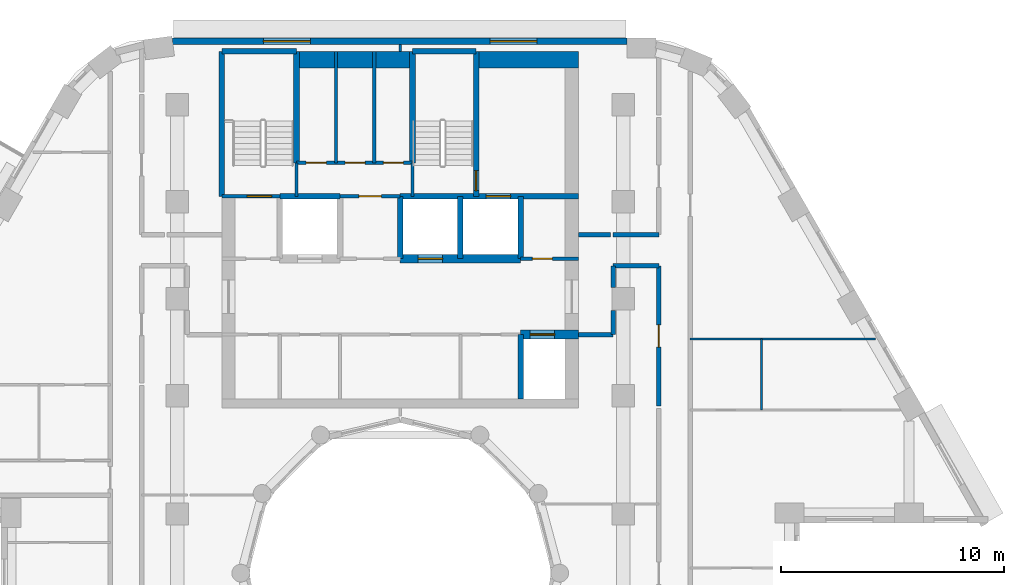
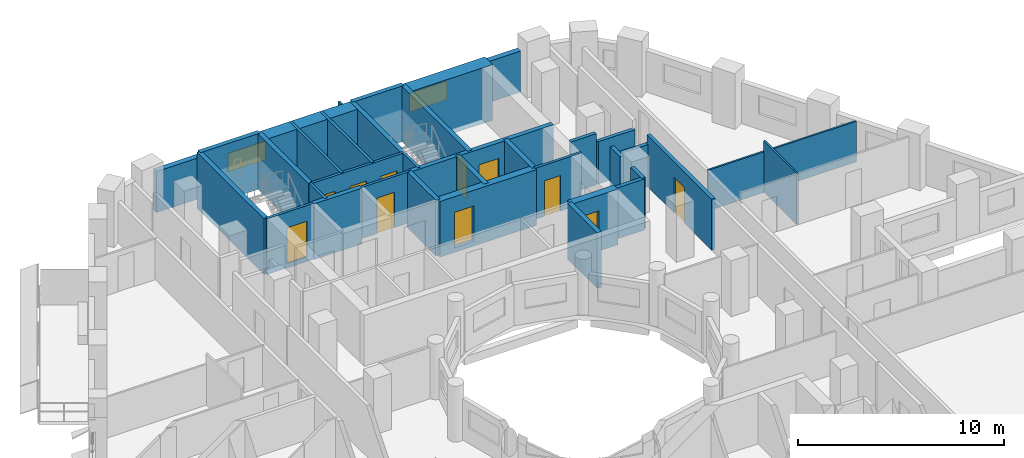
# One storey, part 8 of 13: 35 walls, 11 doors, 2 windows, 13 openings.
"""IFC4 building model written with IfcOpenShell, lengths in metres."""

import ifcopenshell
import ifcopenshell.guid

model = None  # the IFC model being written
_history = None  # IfcOwnerHistory: only IFC2X3 demands one
_inside = {}  # id of a spatial element -> (the spatial element, [elements in it])
_under = {}  # id of a project, library or spatial element -> (it, [spatial elements below it])
_declared = {}  # id of a project -> (the project, [libraries it declares])
_typed = {}  # id of a type object -> (the type object, [elements of that type])
_made_of = {}  # id of a material, layer set ... -> (it, [elements and type objects made of it])


def new_model(schema):
    """Start an empty IFC model of exactly this schema.

    Asked for "IFC4X3", IfcOpenShell would pick the latest addendum, in which some entities
    have other attributes; the version numbers below select the first issue.
    IFC2X3 requires an IfcOwnerHistory on every rooted entity: one is made here for all.
    """
    global model, _history
    if schema == "IFC4X3":
        model = ifcopenshell.file(schema_version=(4, 3, 0, 0))
    else:
        model = ifcopenshell.file(schema=schema)
    _inside.clear()
    _under.clear()
    _declared.clear()
    _typed.clear()
    _made_of.clear()
    _history = None
    if model.schema == "IFC2X3":
        org = make("IfcOrganization", Name="unknown")
        user = make(
            "IfcPersonAndOrganization",
            ThePerson=make("IfcPerson", FamilyName="unknown"),
            TheOrganization=org,
        )
        app = make(
            "IfcApplication",
            ApplicationDeveloper=org,
            Version="unknown",
            ApplicationFullName="unknown",
            ApplicationIdentifier="unknown",
        )
        _history = make(
            "IfcOwnerHistory",
            OwningUser=user,
            OwningApplication=app,
            ChangeAction="ADDED",
            CreationDate=0,
        )
    return model


def make(cls, **values):
    """One entity of the class cls with the attributes given. An attribute that is None is left unset."""
    return model.create_entity(
        cls, **{name: value for name, value in values.items() if value is not None}
    )


def rooted(cls, **values):
    """An entity with a GlobalId (a new one), such as an element, a storey or a relation."""
    return make(cls, GlobalId=ifcopenshell.guid.new(), OwnerHistory=_history, **values)


def si_unit(unit_type, name, prefix=None):
    """IfcSIUnit, for example si_unit("LENGTHUNIT", "METRE", prefix="MILLI")."""
    return make("IfcSIUnit", UnitType=unit_type, Prefix=prefix, Name=name)


def assignment(units):
    """IfcUnitAssignment: the units of a project."""
    return None if units is None else make("IfcUnitAssignment", Units=units)


def point(xyz):
    """IfcCartesianPoint."""
    return None if xyz is None else make("IfcCartesianPoint", Coordinates=xyz)


def direction(xyz):
    """IfcDirection."""
    return None if xyz is None else make("IfcDirection", DirectionRatios=xyz)


def frame(location, z_axis=None, x_axis=None):
    """IfcAxis2Placement3D, a coordinate frame: its origin and axes. An axis left out is left unset."""
    return make(
        "IfcAxis2Placement3D",
        Location=point(location),
        Axis=direction(z_axis),
        RefDirection=direction(x_axis),
    )


def frame_2d(location, x_axis=None):
    """IfcAxis2Placement2D, a coordinate frame in the plane: its origin and x axis."""
    return make(
        "IfcAxis2Placement2D", Location=point(location), RefDirection=direction(x_axis)
    )


def origin():
    """The frame at (0, 0, 0) with its axes left unset."""
    return frame((0.0, 0.0, 0.0))


def place(relative_to, where):
    """IfcLocalPlacement: puts the frame where relative to a parent placement (None: the world)."""
    return make(
        "IfcLocalPlacement", PlacementRelTo=relative_to, RelativePlacement=where
    )


def context(
    kind, dimensions, precision=None, world=None, true_north=None, identifier=None
):
    """IfcGeometricRepresentationContext, for example the 3D "Model" context."""
    return make(
        "IfcGeometricRepresentationContext",
        ContextIdentifier=identifier,
        ContextType=kind,
        CoordinateSpaceDimension=dimensions,
        Precision=precision,
        WorldCoordinateSystem=world,
        TrueNorth=true_north,
    )


def subcontext(parent, identifier, kind, view, scale=None):
    """IfcGeometricRepresentationSubContext, for example "Body" below "Model"."""
    return make(
        "IfcGeometricRepresentationSubContext",
        ContextIdentifier=identifier,
        ContextType=kind,
        ParentContext=parent,
        TargetScale=scale,
        TargetView=view,
    )


def project(units=None, contexts=None):
    """IfcProject with its units and contexts."""
    return rooted(
        "IfcProject",
        Name="project",
        RepresentationContexts=contexts,
        UnitsInContext=assignment(units),
    )


def spatial(cls, under=None, at=None, **own):
    """A site, building, storey or space (cls), placed at a placement, below another one or the project."""
    s = rooted(cls, ObjectPlacement=at, **own)
    if under is not None:
        _under.setdefault(under.id(), (under, []))[1].append(s)
    return s


def profile(cls, at=None, kind="AREA", **sizes):
    """A parametric profile (cls). Its sizes go by their IFC names, for example OverallWidth=200.0."""
    return make(cls, ProfileType=kind, Position=at, **sizes)


def rectangle(**sizes):
    """IfcRectangleProfileDef."""
    return profile("IfcRectangleProfileDef", **sizes)


def extrude(swept, where, along, depth):
    """IfcExtrudedAreaSolid: the profile swept, set in the frame where, extruded along a direction by depth."""
    return make(
        "IfcExtrudedAreaSolid",
        SweptArea=swept,
        Position=where,
        ExtrudedDirection=direction(along),
        Depth=depth,
    )


def shape(context_of_items, identifier, shape_type, items):
    """IfcShapeRepresentation: the items that make up one representation, for example the "Body"."""
    return make(
        "IfcShapeRepresentation",
        ContextOfItems=context_of_items,
        RepresentationIdentifier=identifier,
        RepresentationType=shape_type,
        Items=items,
    )


def material(Name=None, Category=None):
    """IfcMaterial."""
    return make("IfcMaterial", Name=Name, Category=Category)


def layer(
    of_material, thickness, ventilated=None, Name=None, Category=None, Priority=None
):
    """IfcMaterialLayer: one layer of a wall or slab, of a material (None: an air gap)."""
    return make(
        "IfcMaterialLayer",
        Material=of_material,
        LayerThickness=thickness,
        IsVentilated=ventilated,
        Name=Name,
        Category=Category,
        Priority=Priority,
    )


def layer_set(layers, Name=None):
    """IfcMaterialLayerSet."""
    return make("IfcMaterialLayerSet", MaterialLayers=layers, LayerSetName=Name)


def made_of(thing, what):
    """Note that an element or type object is made of a material, layer set ...; save() writes the relation."""
    if what is not None:
        _made_of.setdefault(what.id(), (what, []))[1].append(thing)
    return thing


def type_object(cls, material=None, **own):
    """A type object (cls), such as IfcWallType, which elements share."""
    return made_of(rooted(cls, **own), material)


def element(
    cls,
    number,
    at=None,
    inside=None,
    cuts=None,
    type_object=None,
    material=None,
    context=None,
    identifier="Body",
    shape_type=None,
    held_by="IfcProductDefinitionShape",
    body=None,
    shapes=None,
    **own,
):
    """One element of the class cls, such as IfcWall. Its Tag is "e" and its number.

    at: its placement. inside: the storey or other place that contains it. cuts: it is an
    opening in that element (IfcRelVoidsElement). A single representation is given by context,
    identifier, shape_type and body (its items); several are given by shapes. held_by: the class
    of the entity that holds the representations. save() writes the other relations.
    """
    e = rooted(cls, Tag="e%d" % number, ObjectPlacement=at, **own)
    if body is not None:
        shapes = [shape(context, identifier, shape_type, body)]
    if shapes is not None:
        e.Representation = make(held_by, Representations=shapes)
    if inside is not None:
        _inside.setdefault(inside.id(), (inside, []))[1].append(e)
    if cuts is not None:
        rooted(
            "IfcRelVoidsElement", RelatingBuildingElement=cuts, RelatedOpeningElement=e
        )
    if type_object is not None:
        _typed.setdefault(type_object.id(), (type_object, []))[1].append(e)
    return made_of(e, material)


def fill(opening, filler):
    """IfcRelFillsElement: the door or window that sits in an opening."""
    return rooted(
        "IfcRelFillsElement",
        RelatingOpeningElement=opening,
        RelatedBuildingElement=filler,
    )


def aggregate(whole, parts):
    """IfcRelAggregates: a whole, such as a stair, and the parts it consists of."""
    return rooted("IfcRelAggregates", RelatingObject=whole, RelatedObjects=parts)


def save(model, path):
    """Write the relations noted so far, then the file.

    IfcRelAggregates (storeys below a building ...), IfcRelContainedInSpatialStructure (elements
    in a storey), IfcRelDefinesByType, IfcRelAssociatesMaterial and IfcRelDeclares: one each for
    every whole, place, type object, material and project.
    """
    for whole, parts in _under.values():
        aggregate(whole, parts)
    for where, things in _inside.values():
        rooted(
            "IfcRelContainedInSpatialStructure",
            RelatedElements=things,
            RelatingStructure=where,
        )
    for kind, things in _typed.values():
        rooted("IfcRelDefinesByType", RelatedObjects=things, RelatingType=kind)
    for what, things in _made_of.values():
        rooted("IfcRelAssociatesMaterial", RelatedObjects=things, RelatingMaterial=what)
    for by, libraries in _declared.values():
        rooted("IfcRelDeclares", RelatingContext=by, RelatedDefinitions=libraries)
    model.write(path)


model = new_model("IFC4")

# Units and contexts
model_context = context("Model", 3, precision=1e-05, world=origin(), true_north=direction((0.0, 1.0)))
body_context = subcontext(model_context, "Body", "Model", "MODEL_VIEW")
ifc_project = project(units=[si_unit("LENGTHUNIT", "METRE"), si_unit("AREAUNIT", "SQUARE_METRE"), si_unit("VOLUMEUNIT", "CUBIC_METRE"), si_unit("PLANEANGLEUNIT", "RADIAN"), si_unit("MASSUNIT", "GRAM", prefix="KILO")], contexts=[model_context])

# Site, building, storey
site_placement = place(None, origin())
site = spatial("IfcSite", under=ifc_project, at=site_placement, CompositionType="ELEMENT")
building_placement = place(site_placement, origin())
building = spatial("IfcBuilding", under=site, at=building_placement, Name="Nakaniwa Court", CompositionType="ELEMENT")
storey_placement = place(building_placement, frame((0.0, 0.0, 140.39990234375)))
storey = spatial("IfcBuildingStorey", under=building, at=storey_placement, Name="L36", CompositionType="ELEMENT", Elevation=140.39990234375)

# Wall, opening, door
ifc_material_1 = material(Name="Acoustic double stud partition")
ifc_layer_1 = layer(ifc_material_1, 0.199951171875)
ifc_layer_set_1 = layer_set([ifc_layer_1], Name="Acoustic double stud partition")
wall_type_1 = type_object("IfcWallType", Name="Acoustic double stud partition 200", PredefinedType="PARTITIONING", material=ifc_layer_set_1)
wall_1_placement = place(storey_placement, frame((91.60009765625, 87.4873046875, 0.0), z_axis=(0.0, 0.0, 1.0), x_axis=(0.0, 1.0, 0.0)))
wall_1 = element("IfcWall", 1, at=wall_1_placement, inside=storey, type_object=wall_type_1, Name="Partition PW-076", PredefinedType="PARTITIONING", context=body_context, shape_type="SweptSolid", body=[
    extrude(rectangle(XDim=6.28759765625, YDim=0.199951171875, at=frame_2d((3.143798828125, 0.0))), origin(), (0.0, 0.0, 1.0), 3.025146484375),
])
opening_1_placement = place(wall_1_placement, frame((2.64501953125, 0.0, 0.0)))
opening_1 = element("IfcOpeningElement", 2, at=opening_1_placement, cuts=wall_1, Name="Opening D-02-10", PredefinedType="OPENING", context=body_context, shape_type="SweptSolid", body=[
    extrude(rectangle(XDim=1.0, YDim=2.10009765625, at=frame_2d((0.5, 1.050048828125))), frame((0.0, 0.10986328125, 0.0), z_axis=(0.0, -1.0, 0.0), x_axis=(1.0, 0.0, 0.0)), (0.0, 0.0, 1.0), 0.219970703125),
])
ifc_material_2 = material(Name="Solid core timber door set, black veneer", Category="wood")
door_type_1 = type_object("IfcDoorType", Name="Internal door 1000", OperationType="NOTDEFINED", PredefinedType="DOOR", material=ifc_material_2)
door_1_placement = place(opening_1_placement, origin())
door_1 = element("IfcDoor", 3, at=door_1_placement, inside=storey, type_object=door_type_1, Name="Door D-02-10 L36-051", OperationType="SINGLE_SWING_RIGHT", OverallHeight=2.10009765625, OverallWidth=1.0, PredefinedType="DOOR", context=body_context, shape_type="SweptSolid", body=[
    extrude(rectangle(XDim=1.0, YDim=2.10009765625, at=frame_2d((0.5, 1.050048828125))), frame((0.0, 0.02490234375, 0.0), z_axis=(0.0, -1.0, 0.0), x_axis=(1.0, 0.0, 0.0)), (0.0, 0.0, 1.0), 0.050048828125),
])
fill(opening_1, door_1)

# Walls
wall_2_placement = place(storey_placement, frame((89.550048828125, 90.699951171875, 0.0), z_axis=(0.0, 0.0, 1.0), x_axis=(0.0, 1.0, 0.0)))
element("IfcWall", 4, at=wall_2_placement, inside=storey, type_object=wall_type_1, Name="Partition PW-088", PredefinedType="PARTITIONING", context=body_context, shape_type="SweptSolid", body=[
    extrude(rectangle(XDim=1.082763671875, YDim=0.199951171875, at=frame_2d((0.54150390625, 0.0))), origin(), (0.0, 0.0, 1.0), 3.025146484375),
])
wall_3_placement = place(storey_placement, frame((89.550048828125, 92.817138671875, 0.0), z_axis=(0.0, 0.0, 1.0), x_axis=(0.0, 1.0, 0.0)))
element("IfcWall", 5, at=wall_3_placement, inside=storey, type_object=wall_type_1, Name="Partition PW-089", PredefinedType="PARTITIONING", context=body_context, shape_type="SweptSolid", body=[
    extrude(rectangle(XDim=0.957763671875, YDim=0.199951171875, at=frame_2d((0.47900390625, 0.0))), origin(), (0.0, 0.0, 1.0), 3.025146484375),
])
wall_4_placement = place(storey_placement, frame((89.550048828125, 93.77490234375, 0.0), z_axis=(0.0, 0.0, 1.0), x_axis=(1.0, 0.0, 0.0)))
element("IfcWall", 6, at=wall_4_placement, inside=storey, type_object=wall_type_1, Name="Partition PW-093", PredefinedType="PARTITIONING", context=body_context, shape_type="SweptSolid", body=[
    extrude(rectangle(XDim=2.050048828125, YDim=0.199951171875, at=frame_2d((1.02490234375, 0.0))), origin(), (0.0, 0.0, 1.0), 2.505126953125),
])
wall_5_placement = place(storey_placement, frame((88.0, 90.699951171875, 0.0), z_axis=(0.0, 0.0, 1.0), x_axis=(1.0, 0.0, 0.0)))
element("IfcWall", 7, at=wall_5_placement, inside=storey, type_object=wall_type_1, Name="Partition PW-095", PredefinedType="PARTITIONING", context=body_context, shape_type="SweptSolid", body=[
    extrude(rectangle(XDim=1.550048828125, YDim=0.199951171875, at=frame_2d((0.77490234375, 0.0))), origin(), (0.0, 0.0, 1.0), 3.025146484375),
])
wall_6_placement = place(storey_placement, frame((88.0, 95.175048828125, 0.0), z_axis=(0.0, 0.0, 1.0), x_axis=(1.0, 0.0, 0.0)))
element("IfcWall", 8, at=wall_6_placement, inside=storey, type_object=wall_type_1, Name="Partition PW-098", PredefinedType="PARTITIONING", context=body_context, shape_type="SweptSolid", body=[
    extrude(rectangle(XDim=1.4228515625, YDim=0.199951171875, at=frame_2d((0.71142578125, 0.0))), origin(), (0.0, 0.0, 1.0), 3.025146484375),
])
wall_7_placement = place(storey_placement, frame((89.537109375, 95.175048828125, 0.0), z_axis=(0.0, 0.0, 1.0), x_axis=(1.0, 0.0, 0.0)))
element("IfcWall", 9, at=wall_7_placement, inside=storey, type_object=wall_type_1, Name="Partition PW-099", PredefinedType="PARTITIONING", context=body_context, shape_type="SweptSolid", body=[
    extrude(rectangle(XDim=2.06298828125, YDim=0.199951171875, at=frame_2d((1.031494140625, 0.0))), origin(), (0.0, 0.0, 1.0), 2.505126953125),
])

# Wall, openings, windows
ifc_material_3 = material(Name="Charcoal ceramic cladding")
ifc_layer_2 = layer(ifc_material_3, 0.02, Name="Ceramic cladding")
ifc_material_4 = material(Name="Ventilated air cavity")
ifc_layer_3 = layer(ifc_material_4, 0.04, ventilated=True, Name="Ventilated cavity")
ifc_material_5 = material(Name="Mineral wool insulation")
ifc_layer_4 = layer(ifc_material_5, 0.1, Name="Insulation")
ifc_material_6 = material(Name="Cement bonded sheathing board")
ifc_layer_5 = layer(ifc_material_6, 0.012, Name="Sheathing")
ifc_material_7 = material(Name="Cold-formed galvanised stud frame with mineral wool infill")
ifc_layer_6 = layer(ifc_material_7, 0.1, Name="Stud frame")
ifc_material_8 = material(Name="Fire-rated gypsum plasterboard lining")
ifc_layer_7 = layer(ifc_material_8, 0.028, Name="Lining")
ifc_layer_set_2 = layer_set([ifc_layer_2, ifc_layer_3, ifc_layer_4, ifc_layer_5, ifc_layer_6, ifc_layer_7], Name="Charcoal ceramic faced external wall system")
wall_type_2 = type_object("IfcWallType", Name="Black ceramic faced external wall 300", PredefinedType="SOLIDWALL", material=ifc_layer_set_2)
wall_8_placement = place(storey_placement, frame((90.1787109375, 103.85009765625, 0.0), z_axis=(0.0, 0.0, 1.0), x_axis=(-1.0, 0.0, 0.0)))
wall_8 = element("IfcWall", 10, at=wall_8_placement, inside=storey, type_object=wall_type_2, Name="L36 external wall 08", PredefinedType="SOLIDWALL", context=body_context, shape_type="SweptSolid", body=[
    extrude(rectangle(XDim=20.391357421875, YDim=0.300048828125, at=frame_2d((10.19580078125, 0.0))), origin(), (0.0, 0.0, 1.0), 2.425048828125),
])
opening_2_placement = place(wall_8_placement, frame((4.05126953125, 0.0, 0.89990234375)))
opening_2 = element("IfcOpeningElement", 11, at=opening_2_placement, cuts=wall_8, Name="Opening W7.09", PredefinedType="OPENING", context=body_context, shape_type="SweptSolid", body=[
    extrude(rectangle(XDim=2.10009765625, YDim=1.10009765625, at=frame_2d((1.050048828125, 0.550048828125))), frame((0.0, 0.159912109375, 0.0), z_axis=(0.0, -1.0, 0.0), x_axis=(1.0, 0.0, 0.0)), (0.0, 0.0, 1.0), 0.320068359375),
])
opening_3_placement = place(wall_8_placement, frame((14.211669921875, 0.0, 0.89990234375)))
opening_3 = element("IfcOpeningElement", 12, at=opening_3_placement, cuts=wall_8, Name="Opening W7.10", PredefinedType="OPENING", context=body_context, shape_type="SweptSolid", body=[
    extrude(rectangle(XDim=2.10009765625, YDim=1.10009765625, at=frame_2d((1.050048828125, 0.550048828125))), frame((0.0, 0.159912109375, 0.0), z_axis=(0.0, -1.0, 0.0), x_axis=(1.0, 0.0, 0.0)), (0.0, 0.0, 1.0), 0.320068359375),
])
ifc_material_9 = material(Name="Black anodised aluminium frame with dark low-E laminated double glazing", Category="aluminium")
window_type = type_object("IfcWindowType", Name="Dark glass window 2100x1100 sill 900", PartitioningType="SINGLE_PANEL", PredefinedType="WINDOW", material=ifc_material_9)
window_1_placement = place(opening_2_placement, origin())
window_1 = element("IfcWindow", 13, at=window_1_placement, inside=storey, type_object=window_type, Name="L36 habitable room window 08-0", OverallHeight=1.10009765625, OverallWidth=2.10009765625, PartitioningType="SINGLE_PANEL", PredefinedType="WINDOW", context=body_context, shape_type="SweptSolid", body=[
    extrude(rectangle(XDim=2.10009765625, YDim=1.10009765625, at=frame_2d((1.050048828125, 0.550048828125))), frame((0.0, 0.030029296875, 0.0), z_axis=(0.0, -1.0, 0.0), x_axis=(1.0, 0.0, 0.0)), (0.0, 0.0, 1.0), 0.06005859375),
])
fill(opening_2, window_1)
window_2_placement = place(opening_3_placement, origin())
window_2 = element("IfcWindow", 14, at=window_2_placement, inside=storey, type_object=window_type, Name="L36 habitable room window 08-1", OverallHeight=1.10009765625, OverallWidth=2.10009765625, PartitioningType="SINGLE_PANEL", PredefinedType="WINDOW", context=body_context, shape_type="SweptSolid", body=[
    extrude(rectangle(XDim=2.10009765625, YDim=1.10009765625, at=frame_2d((1.050048828125, 0.550048828125))), frame((0.0, 0.030029296875, 0.0), z_axis=(0.0, -1.0, 0.0), x_axis=(1.0, 0.0, 0.0)), (0.0, 0.0, 1.0), 0.06005859375),
])
fill(opening_3, window_2)

# Wall, opening, door
ifc_material_10 = material(Name="Blockwork partition", Category="masonry")
ifc_layer_8 = layer(ifc_material_10, 0.14990234375)
ifc_layer_set_3 = layer_set([ifc_layer_8], Name="Blockwork partition")
wall_type_3 = type_object("IfcWallType", Name="Blockwork partition 150", PredefinedType="PARTITIONING", material=ifc_layer_set_3)
wall_9_placement = place(storey_placement, frame((85.39697265625, 94.10009765625, 0.0), z_axis=(0.0, 0.0, 1.0), x_axis=(1.0, 0.0, 0.0)))
wall_9 = element("IfcWall", 15, at=wall_9_placement, inside=storey, type_object=wall_type_3, Name="Partition PW-012", PredefinedType="PARTITIONING", context=body_context, shape_type="SweptSolid", body=[
    extrude(rectangle(XDim=2.60302734375, YDim=0.14990234375, at=frame_2d((1.301513671875, 0.0))), origin(), (0.0, 0.0, 1.0), 3.025146484375),
])
opening_4_placement = place(wall_9_placement, frame((0.528076171875, 0.0, 0.0)))
opening_4 = element("IfcOpeningElement", 16, at=opening_4_placement, cuts=wall_9, Name="Opening D-05-05", PredefinedType="OPENING", context=body_context, shape_type="SweptSolid", body=[
    extrude(rectangle(XDim=0.89990234375, YDim=2.10009765625, at=frame_2d((0.449951171875, 1.050048828125))), frame((0.0, 0.0849609375, 0.0), z_axis=(0.0, -1.0, 0.0), x_axis=(1.0, 0.0, 0.0)), (0.0, 0.0, 1.0), 0.169921875),
])
ifc_material_11 = material(Name="Fire rated steel door set", Category="steel")
door_type_2 = type_object("IfcDoorType", Name="Service room door 900", OperationType="NOTDEFINED", PredefinedType="DOOR", material=ifc_material_11)
door_2_placement = place(opening_4_placement, origin())
door_2 = element("IfcDoor", 17, at=door_2_placement, inside=storey, type_object=door_type_2, Name="Door D-05-05 L36-007", OperationType="SINGLE_SWING_RIGHT", OverallHeight=2.10009765625, OverallWidth=0.89990234375, PredefinedType="DOOR", context=body_context, shape_type="SweptSolid", body=[
    extrude(rectangle(XDim=0.89990234375, YDim=2.10009765625, at=frame_2d((0.449951171875, 1.050048828125))), frame((0.0, 0.02490234375, 0.0), z_axis=(0.0, -1.0, 0.0), x_axis=(1.0, 0.0, 0.0)), (0.0, 0.0, 1.0), 0.050048828125),
])
fill(opening_4, door_2)

wall_10_placement = place(storey_placement, frame((77.300048828125, 96.89990234375, 0.0), z_axis=(0.0, 0.0, 1.0), x_axis=(1.0, 0.0, 0.0)))
wall_10 = element("IfcWall", 18, at=wall_10_placement, inside=storey, type_object=wall_type_3, Name="Partition PW-021", PredefinedType="PARTITIONING", context=body_context, shape_type="SweptSolid", body=[
    extrude(rectangle(XDim=2.699951171875, YDim=0.14990234375, at=frame_2d((1.35009765625, 0.0))), origin(), (0.0, 0.0, 1.0), 3.025146484375),
])
opening_5_placement = place(wall_10_placement, frame((0.85009765625, 0.0, 0.0)))
opening_5 = element("IfcOpeningElement", 19, at=opening_5_placement, cuts=wall_10, Name="Opening D-23-01", PredefinedType="OPENING", context=body_context, shape_type="SweptSolid", body=[
    extrude(rectangle(XDim=1.0, YDim=2.10009765625, at=frame_2d((0.5, 1.050048828125))), frame((0.0, 0.0849609375, 0.0), z_axis=(0.0, -1.0, 0.0), x_axis=(1.0, 0.0, 0.0)), (0.0, 0.0, 1.0), 0.169921875),
])
door_type_3 = type_object("IfcDoorType", Name="Service room door 1000", OperationType="NOTDEFINED", PredefinedType="DOOR", material=ifc_material_11)
door_3_placement = place(opening_5_placement, origin())
door_3 = element("IfcDoor", 20, at=door_3_placement, inside=storey, type_object=door_type_3, Name="Door D-23-01 L36-008", OperationType="SINGLE_SWING_LEFT", OverallHeight=2.10009765625, OverallWidth=1.0, PredefinedType="DOOR", context=body_context, shape_type="SweptSolid", body=[
    extrude(rectangle(XDim=1.0, YDim=2.10009765625, at=frame_2d((0.5, 1.050048828125))), frame((0.0, 0.02490234375, 0.0), z_axis=(0.0, -1.0, 0.0), x_axis=(1.0, 0.0, 0.0)), (0.0, 0.0, 1.0), 0.050048828125),
])
fill(opening_5, door_3)

# Wall, openings, doors
wall_11_placement = place(storey_placement, frame((75.35009765625, 98.39990234375, 0.0), z_axis=(0.0, 0.0, 1.0), x_axis=(1.0, 0.0, 0.0)))
wall_11 = element("IfcWall", 21, at=wall_11_placement, inside=storey, type_object=wall_type_3, Name="Partition PW-033", PredefinedType="PARTITIONING", context=body_context, shape_type="SweptSolid", body=[
    extrude(rectangle(XDim=5.199951171875, YDim=0.14990234375, at=frame_2d((2.60009765625, 0.0))), origin(), (0.0, 0.0, 1.0), 3.025146484375),
])
opening_6_placement = place(wall_11_placement, frame((0.43408203125, 0.0, 0.0)))
opening_6 = element("IfcOpeningElement", 22, at=opening_6_placement, cuts=wall_11, Name="Opening D-05-06", PredefinedType="OPENING", context=body_context, shape_type="SweptSolid", body=[
    extrude(rectangle(XDim=0.89990234375, YDim=2.10009765625, at=frame_2d((0.449951171875, 1.050048828125))), frame((0.0, 0.0849609375, 0.0), z_axis=(0.0, -1.0, 0.0), x_axis=(1.0, 0.0, 0.0)), (0.0, 0.0, 1.0), 0.169921875),
])
opening_7_placement = place(wall_11_placement, frame((2.176025390625, 0.0, 0.0)))
opening_7 = element("IfcOpeningElement", 23, at=opening_7_placement, cuts=wall_11, Name="Opening D-05-07", PredefinedType="OPENING", context=body_context, shape_type="SweptSolid", body=[
    extrude(rectangle(XDim=0.89990234375, YDim=2.10009765625, at=frame_2d((0.449951171875, 1.050048828125))), frame((0.0, 0.0849609375, 0.0), z_axis=(0.0, -1.0, 0.0), x_axis=(1.0, 0.0, 0.0)), (0.0, 0.0, 1.0), 0.169921875),
])
opening_8_placement = place(wall_11_placement, frame((3.89208984375, 0.0, 0.0)))
opening_8 = element("IfcOpeningElement", 24, at=opening_8_placement, cuts=wall_11, Name="Opening D-05-08", PredefinedType="OPENING", context=body_context, shape_type="SweptSolid", body=[
    extrude(rectangle(XDim=0.89990234375, YDim=2.10009765625, at=frame_2d((0.449951171875, 1.050048828125))), frame((0.0, 0.0849609375, 0.0), z_axis=(0.0, -1.0, 0.0), x_axis=(1.0, 0.0, 0.0)), (0.0, 0.0, 1.0), 0.169921875),
])
door_4_placement = place(opening_6_placement, origin())
door_4 = element("IfcDoor", 25, at=door_4_placement, inside=storey, type_object=door_type_2, Name="Door D-05-06 L36-009", OperationType="SINGLE_SWING_RIGHT", OverallHeight=2.10009765625, OverallWidth=0.89990234375, PredefinedType="DOOR", context=body_context, shape_type="SweptSolid", body=[
    extrude(rectangle(XDim=0.89990234375, YDim=2.10009765625, at=frame_2d((0.449951171875, 1.050048828125))), frame((0.0, 0.02490234375, 0.0), z_axis=(0.0, -1.0, 0.0), x_axis=(1.0, 0.0, 0.0)), (0.0, 0.0, 1.0), 0.050048828125),
])
fill(opening_6, door_4)
door_5_placement = place(opening_7_placement, origin())
door_5 = element("IfcDoor", 26, at=door_5_placement, inside=storey, type_object=door_type_2, Name="Door D-05-07 L36-010", OperationType="SINGLE_SWING_LEFT", OverallHeight=2.10009765625, OverallWidth=0.89990234375, PredefinedType="DOOR", context=body_context, shape_type="SweptSolid", body=[
    extrude(rectangle(XDim=0.89990234375, YDim=2.10009765625, at=frame_2d((0.449951171875, 1.050048828125))), frame((0.0, 0.02490234375, 0.0), z_axis=(0.0, -1.0, 0.0), x_axis=(1.0, 0.0, 0.0)), (0.0, 0.0, 1.0), 0.050048828125),
])
fill(opening_7, door_5)
door_6_placement = place(opening_8_placement, origin())
door_6 = element("IfcDoor", 27, at=door_6_placement, inside=storey, type_object=door_type_2, Name="Door D-05-08 L36-011", OperationType="SINGLE_SWING_RIGHT", OverallHeight=2.10009765625, OverallWidth=0.89990234375, PredefinedType="DOOR", context=body_context, shape_type="SweptSolid", body=[
    extrude(rectangle(XDim=0.89990234375, YDim=2.10009765625, at=frame_2d((0.449951171875, 1.050048828125))), frame((0.0, 0.02490234375, 0.0), z_axis=(0.0, -1.0, 0.0), x_axis=(1.0, 0.0, 0.0)), (0.0, 0.0, 1.0), 0.050048828125),
])
fill(opening_8, door_6)

# Walls
for number, where, z_axis, x_axis, name in (
    (28, (77.117919921875, 98.39990234375, 0.0), (0.0, 0.0, 1.0), (0.0, 1.0, 0.0), "Partition PW-034"),
    (29, (78.833984375, 98.39990234375, 0.0), (0.0, 0.0, 1.0), (0.0, 1.0, 0.0), "Partition PW-035"),
):
    element("IfcWall", number, at=place(storey_placement, frame(where, z_axis=z_axis, x_axis=x_axis)), inside=storey, type_object=wall_type_3, Name=name, PredefinedType="PARTITIONING", context=body_context, shape_type="SweptSolid", body=[
        extrude(rectangle(XDim=5.0, YDim=0.14990234375, at=frame_2d((2.5, 0.0))), origin(), (0.0, 0.0, 1.0), 3.025146484375),
    ])

# Wall, opening, door
ifc_material_12 = material(Name="Concrete C80/100", Category="concrete")
ifc_layer_9 = layer(ifc_material_12, 0.39990234375)
ifc_layer_set_4 = layer_set([ifc_layer_9], Name="Concrete C80/100")
wall_type_4 = type_object("IfcWallType", Name="Concrete core spine wall 400 C80", PredefinedType="SHEAR", material=ifc_layer_set_4)
wall_12_placement = place(storey_placement, frame((85.39990234375, 90.699951171875, -0.27490234375), z_axis=(0.0, 0.0, 1.0), x_axis=(1.0, 0.0, 0.0)))
wall_12 = element("IfcWall", 30, at=wall_12_placement, inside=storey, type_object=wall_type_4, Name="Core wall SW-06", PredefinedType="SHEAR", context=body_context, shape_type="SweptSolid", body=[
    extrude(rectangle(XDim=2.60009765625, YDim=0.39990234375, at=frame_2d((1.300048828125, 0.0))), origin(), (0.0, 0.0, 1.0), 3.300048828125),
])
opening_9_placement = place(wall_12_placement, frame((0.425048828125, 0.0, 0.27490234375)))
opening_9 = element("IfcOpeningElement", 31, at=opening_9_placement, cuts=wall_12, Name="Opening LD01", PredefinedType="OPENING", context=body_context, shape_type="SweptSolid", body=[
    extrude(rectangle(XDim=1.10009765625, YDim=2.10009765625, at=frame_2d((0.550048828125, 1.050048828125))), frame((0.0, 0.2099609375, 0.0), z_axis=(0.0, -1.0, 0.0), x_axis=(1.0, 0.0, 0.0)), (0.0, 0.0, 1.0), 0.419921875),
])
ifc_material_13 = material(Name="Stainless steel sliding lift landing door", Category="steel")
door_type_4 = type_object("IfcDoorType", Name="Lift landing door 1100", OperationType="NOTDEFINED", PredefinedType="DOOR", material=ifc_material_13)
door_7_placement = place(opening_9_placement, origin())
door_7 = element("IfcDoor", 32, at=door_7_placement, inside=storey, type_object=door_type_4, Name="Lift landing door LD01 L36-001", OperationType="SLIDING_TO_LEFT", OverallHeight=2.10009765625, OverallWidth=1.10009765625, PredefinedType="DOOR", context=body_context, shape_type="SweptSolid", body=[
    extrude(rectangle(XDim=1.10009765625, YDim=2.10009765625, at=frame_2d((0.550048828125, 1.050048828125))), frame((0.0, 0.02490234375, 0.0), z_axis=(0.0, -1.0, 0.0), x_axis=(1.0, 0.0, 0.0)), (0.0, 0.0, 1.0), 0.050048828125),
])
fill(opening_9, door_7)

wall_13_placement = place(storey_placement, frame((79.9970703125, 94.10009765625, -0.27490234375), z_axis=(0.0, 0.0, 1.0), x_axis=(1.0, 0.0, 0.0)))
wall_13 = element("IfcWall", 33, at=wall_13_placement, inside=storey, type_object=wall_type_4, Name="Core wall SW-14", PredefinedType="SHEAR", context=body_context, shape_type="SweptSolid", body=[
    extrude(rectangle(XDim=5.406005859375, YDim=0.39990234375, at=frame_2d((2.703125, 0.0))), origin(), (0.0, 0.0, 1.0), 3.300048828125),
])
opening_10_placement = place(wall_13_placement, frame((0.802978515625, 0.0, 0.27490234375)))
opening_10 = element("IfcOpeningElement", 34, at=opening_10_placement, cuts=wall_13, Name="Opening LD03", PredefinedType="OPENING", context=body_context, shape_type="SweptSolid", body=[
    extrude(rectangle(XDim=1.10009765625, YDim=2.10009765625, at=frame_2d((0.550048828125, 1.050048828125))), frame((0.0, 0.2099609375, 0.0), z_axis=(0.0, -1.0, 0.0), x_axis=(1.0, 0.0, 0.0)), (0.0, 0.0, 1.0), 0.419921875),
])
door_8_placement = place(opening_10_placement, origin())
door_8 = element("IfcDoor", 35, at=door_8_placement, inside=storey, type_object=door_type_4, Name="Lift landing door LD03 L36-003", OperationType="SLIDING_TO_LEFT", OverallHeight=2.10009765625, OverallWidth=1.10009765625, PredefinedType="DOOR", context=body_context, shape_type="SweptSolid", body=[
    extrude(rectangle(XDim=1.10009765625, YDim=2.10009765625, at=frame_2d((0.550048828125, 1.050048828125))), frame((0.0, 0.02490234375, 0.0), z_axis=(0.0, -1.0, 0.0), x_axis=(1.0, 0.0, 0.0)), (0.0, 0.0, 1.0), 0.050048828125),
])
fill(opening_10, door_8)

ifc_layer_10 = layer(ifc_material_12, 0.14990234375)
ifc_layer_set_5 = layer_set([ifc_layer_10], Name="Concrete C80/100")
wall_type_5 = type_object("IfcWallType", Name="Concrete core wall 150 C80", PredefinedType="SHEAR", material=ifc_layer_set_5)
wall_14_placement = place(storey_placement, frame((74.60009765625, 96.89990234375, -0.27490234375), z_axis=(0.0, 0.0, 1.0), x_axis=(-1.0, 0.0, 0.0)))
wall_14 = element("IfcWall", 36, at=wall_14_placement, inside=storey, type_object=wall_type_5, Name="Core wall SW-16", PredefinedType="SHEAR", context=body_context, shape_type="SweptSolid", body=[
    extrude(rectangle(XDim=2.60009765625, YDim=0.14990234375, at=frame_2d((1.300048828125, 0.0))), origin(), (0.0, 0.0, 1.0), 3.300048828125),
])
opening_11_placement = place(wall_14_placement, frame((0.3701171875, 0.0, 0.27490234375)))
opening_11 = element("IfcOpeningElement", 37, at=opening_11_placement, cuts=wall_14, Name="Opening D-09-01", PredefinedType="OPENING", context=body_context, shape_type="SweptSolid", body=[
    extrude(rectangle(XDim=1.10009765625, YDim=2.10009765625, at=frame_2d((0.550048828125, 1.050048828125))), frame((0.0, 0.0849609375, 0.0), z_axis=(0.0, -1.0, 0.0), x_axis=(1.0, 0.0, 0.0)), (0.0, 0.0, 1.0), 0.169921875),
])
door_type_5 = type_object("IfcDoorType", Name="Stair door 1100", OperationType="NOTDEFINED", PredefinedType="DOOR", material=ifc_material_11)
door_9_placement = place(opening_11_placement, origin())
door_9 = element("IfcDoor", 38, at=door_9_placement, inside=storey, type_object=door_type_5, Name="Door D-09-01 L36-012", OperationType="SINGLE_SWING_RIGHT", OverallHeight=2.10009765625, OverallWidth=1.10009765625, PredefinedType="DOOR", context=body_context, shape_type="SweptSolid", body=[
    extrude(rectangle(XDim=1.10009765625, YDim=2.10009765625, at=frame_2d((0.550048828125, 1.050048828125))), frame((0.0, 0.02490234375, 0.0), z_axis=(0.0, -1.0, 0.0), x_axis=(1.0, 0.0, 0.0)), (0.0, 0.0, 1.0), 0.050048828125),
])
fill(opening_11, door_9)

# Walls
for number, where, z_axis, x_axis, name in (
    (39, (75.35009765625, 96.89990234375, -0.27490234375), (0.0, 0.0, 1.0), (0.0, 1.0, 0.0), "Core wall SW-23"),
    (40, (80.550048828125, 96.89990234375, -0.27490234375), (0.0, 0.0, 1.0), (0.0, 1.0, 0.0), "Core wall SW-29"),
):
    element("IfcWall", number, at=place(storey_placement, frame(where, z_axis=z_axis, x_axis=x_axis)), inside=storey, type_object=wall_type_5, Name=name, PredefinedType="SHEAR", context=body_context, shape_type="SweptSolid", body=[
        extrude(rectangle(XDim=1.503173828125, YDim=0.14990234375, at=frame_2d((0.75146484375, 0.0))), origin(), (0.0, 0.0, 1.0), 3.300048828125),
    ])
ifc_layer_11 = layer(ifc_material_12, 0.25)
ifc_layer_set_6 = layer_set([ifc_layer_11], Name="Concrete C80/100")
wall_type_6 = type_object("IfcWallType", Name="Concrete core wall 250 C80", PredefinedType="SHEAR", material=ifc_layer_set_6)
wall_15_placement = place(storey_placement, frame((72.0, 103.39990234375, -0.27490234375), z_axis=(0.0, 0.0, 1.0), x_axis=(1.0, 0.0, 0.0)))
element("IfcWall", 41, at=wall_15_placement, inside=storey, type_object=wall_type_6, Name="Core wall SW-25", PredefinedType="SHEAR", context=body_context, shape_type="SweptSolid", body=[
    extrude(rectangle(XDim=3.35009765625, YDim=0.25, at=frame_2d((1.675048828125, 0.0))), origin(), (0.0, 0.0, 1.0), 3.300048828125),
])
wall_16_placement = place(storey_placement, frame((80.550048828125, 103.39990234375, -0.27490234375), z_axis=(0.0, 0.0, 1.0), x_axis=(1.0, 0.0, 0.0)))
element("IfcWall", 42, at=wall_16_placement, inside=storey, type_object=wall_type_6, Name="Core wall SW-26", PredefinedType="SHEAR", context=body_context, shape_type="SweptSolid", body=[
    extrude(rectangle(XDim=2.849853515625, YDim=0.25, at=frame_2d((1.4248046875, 0.0))), origin(), (0.0, 0.0, 1.0), 3.300048828125),
])
wall_17_placement = place(storey_placement, frame((72.0, 96.89990234375, -0.27490234375), z_axis=(0.0, 0.0, 1.0), x_axis=(0.0, 1.0, 0.0)))
element("IfcWall", 43, at=wall_17_placement, inside=storey, type_object=wall_type_6, Name="Core wall SW-27", PredefinedType="SHEAR", context=body_context, shape_type="SweptSolid", body=[
    extrude(rectangle(XDim=6.5, YDim=0.25, at=frame_2d((3.25, 0.0))), origin(), (0.0, 0.0, 1.0), 3.300048828125),
])
ifc_layer_12 = layer(ifc_material_12, 0.75)
ifc_layer_set_7 = layer_set([ifc_layer_12], Name="Concrete C80/100")
wall_type_7 = type_object("IfcWallType", Name="Concrete core wall 750 C80", PredefinedType="SHEAR", material=ifc_layer_set_7)
wall_18_placement = place(storey_placement, frame((75.35009765625, 103.02490234375, -0.27490234375), z_axis=(0.0, 0.0, 1.0), x_axis=(1.0, 0.0, 0.0)))
element("IfcWall", 44, at=wall_18_placement, inside=storey, type_object=wall_type_7, Name="Core wall SW-31", PredefinedType="SHEAR", context=body_context, shape_type="SweptSolid", body=[
    extrude(rectangle(XDim=5.199951171875, YDim=0.75, at=frame_2d((2.60009765625, 0.0))), origin(), (0.0, 0.0, 1.0), 3.300048828125),
])
wall_19_placement = place(storey_placement, frame((83.39990234375, 103.02490234375, -0.27490234375), z_axis=(0.0, 0.0, 1.0), x_axis=(1.0, 0.0, 0.0)))
element("IfcWall", 45, at=wall_19_placement, inside=storey, type_object=wall_type_7, Name="Core wall SW-32", PredefinedType="SHEAR", context=body_context, shape_type="SweptSolid", body=[
    extrude(rectangle(XDim=4.60009765625, YDim=0.75, at=frame_2d((2.300048828125, 0.0))), origin(), (0.0, 0.0, 1.0), 3.300048828125),
])
ifc_layer_13 = layer(ifc_material_12, 0.25)
ifc_layer_set_8 = layer_set([ifc_layer_13], Name="Concrete C80/100")
wall_type_8 = type_object("IfcWallType", Name="Concrete shaft wall 250 C80", PredefinedType="SHEAR", material=ifc_layer_set_8)
wall_20_placement = place(storey_placement, frame((85.39990234375, 87.800048828125, -0.27490234375), z_axis=(0.0, 0.0, 1.0), x_axis=(0.0, 1.0, 0.0)))
element("IfcWall", 46, at=wall_20_placement, inside=storey, type_object=wall_type_8, Name="Core wall SW-04", PredefinedType="SHEAR", context=body_context, shape_type="SweptSolid", body=[
    extrude(rectangle(XDim=2.89990234375, YDim=0.25, at=frame_2d((1.449951171875, 0.0))), origin(), (0.0, 0.0, 1.0), 3.300048828125),
])
wall_21_placement = place(storey_placement, frame((85.39990234375, 94.10009765625, -0.27490234375), z_axis=(0.0, 0.0, 1.0), x_axis=(0.0, 1.0, 0.0)))
element("IfcWall", 47, at=wall_21_placement, inside=storey, type_object=wall_type_8, Name="Core wall SW-05", PredefinedType="SHEAR", context=body_context, shape_type="SweptSolid", body=[
    extrude(rectangle(XDim=2.7998046875, YDim=0.25, at=frame_2d((1.39990234375, 0.0))), origin(), (0.0, 0.0, 1.0), 3.300048828125),
])
wall_22_placement = place(storey_placement, frame((74.60009765625, 96.89990234375, -0.27490234375), z_axis=(0.0, 0.0, 1.0), x_axis=(1.0, 0.0, 0.0)))
element("IfcWall", 48, at=wall_22_placement, inside=storey, type_object=wall_type_8, Name="Core wall SW-18", PredefinedType="SHEAR", context=body_context, shape_type="SweptSolid", body=[
    extrude(rectangle(XDim=2.699951171875, YDim=0.25, at=frame_2d((1.35009765625, 0.0))), origin(), (0.0, 0.0, 1.0), 3.300048828125),
])

# Wall, opening, door
wall_23_placement = place(storey_placement, frame((80.0, 96.89990234375, -0.27490234375), z_axis=(0.0, 0.0, 1.0), x_axis=(1.0, 0.0, 0.0)))
wall_23 = element("IfcWall", 49, at=wall_23_placement, inside=storey, type_object=wall_type_8, Name="Core wall SW-19", PredefinedType="SHEAR", context=body_context, shape_type="SweptSolid", body=[
    extrude(rectangle(XDim=8.0, YDim=0.25, at=frame_2d((4.0, 0.0))), origin(), (0.0, 0.0, 1.0), 3.300048828125),
])
opening_12_placement = place(wall_23_placement, frame((3.84912109375, 0.0, 0.27490234375)))
opening_12 = element("IfcOpeningElement", 50, at=opening_12_placement, cuts=wall_23, Name="Opening LD04", PredefinedType="OPENING", context=body_context, shape_type="SweptSolid", body=[
    extrude(rectangle(XDim=1.10009765625, YDim=2.10009765625, at=frame_2d((0.550048828125, 1.050048828125))), frame((0.0, 0.135009765625, 0.0), z_axis=(0.0, -1.0, 0.0), x_axis=(1.0, 0.0, 0.0)), (0.0, 0.0, 1.0), 0.27001953125),
])
door_10_placement = place(opening_12_placement, origin())
door_10 = element("IfcDoor", 51, at=door_10_placement, inside=storey, type_object=door_type_4, Name="Lift landing door LD04 L36-004", OperationType="SLIDING_TO_LEFT", OverallHeight=2.10009765625, OverallWidth=1.10009765625, PredefinedType="DOOR", context=body_context, shape_type="SweptSolid", body=[
    extrude(rectangle(XDim=1.10009765625, YDim=2.10009765625, at=frame_2d((0.550048828125, 1.050048828125))), frame((0.0, 0.02490234375, 0.0), z_axis=(0.0, -1.0, 0.0), x_axis=(1.0, 0.0, 0.0)), (0.0, 0.0, 1.0), 0.050048828125),
])
fill(opening_12, door_10)

# Walls
for number, where, z_axis, x_axis, name in (
    (52, (80.0, 94.10009765625, -0.27490234375), (0.0, 0.0, 1.0), (0.0, 1.0, 0.0), "Core wall SW-20"),
    (53, (82.699951171875, 94.10009765625, -0.27490234375), (0.0, 0.0, 1.0), (0.0, 1.0, 0.0), "Core wall SW-22"),
):
    element("IfcWall", number, at=place(storey_placement, frame(where, z_axis=z_axis, x_axis=x_axis)), inside=storey, type_object=wall_type_8, Name=name, PredefinedType="SHEAR", context=body_context, shape_type="SweptSolid", body=[
        extrude(rectangle(XDim=2.7998046875, YDim=0.25, at=frame_2d((1.39990234375, 0.0))), origin(), (0.0, 0.0, 1.0), 3.300048828125),
    ])
wall_24_placement = place(storey_placement, frame((75.35009765625, 98.39697265625, -0.27490234375), z_axis=(0.0, 0.0, 1.0), x_axis=(0.0, 1.0, 0.0)))
element("IfcWall", 54, at=wall_24_placement, inside=storey, type_object=wall_type_8, Name="Core wall SW-24", PredefinedType="SHEAR", context=body_context, shape_type="SweptSolid", body=[
    extrude(rectangle(XDim=5.0029296875, YDim=0.25, at=frame_2d((2.50146484375, 0.0))), origin(), (0.0, 0.0, 1.0), 3.300048828125),
])

# Wall, opening, door
wall_25_placement = place(storey_placement, frame((83.39990234375, 103.39990234375, -0.27490234375), z_axis=(0.0, 0.0, 1.0), x_axis=(0.0, -1.0, 0.0)))
wall_25 = element("IfcWall", 55, at=wall_25_placement, inside=storey, type_object=wall_type_8, Name="Core wall SW-28", PredefinedType="SHEAR", context=body_context, shape_type="SweptSolid", body=[
    extrude(rectangle(XDim=6.5, YDim=0.25, at=frame_2d((3.25, 0.0))), origin(), (0.0, 0.0, 1.0), 3.300048828125),
])
opening_13_placement = place(wall_25_placement, frame((5.35009765625, 0.0, 0.27490234375)))
opening_13 = element("IfcOpeningElement", 56, at=opening_13_placement, cuts=wall_25, Name="Opening D-11-01", PredefinedType="OPENING", context=body_context, shape_type="SweptSolid", body=[
    extrude(rectangle(XDim=0.89990234375, YDim=2.10009765625, at=frame_2d((0.449951171875, 1.050048828125))), frame((0.0, 0.135009765625, 0.0), z_axis=(0.0, -1.0, 0.0), x_axis=(1.0, 0.0, 0.0)), (0.0, 0.0, 1.0), 0.27001953125),
])
door_type_6 = type_object("IfcDoorType", Name="Stair door 900", OperationType="NOTDEFINED", PredefinedType="DOOR", material=ifc_material_11)
door_11_placement = place(opening_13_placement, origin())
door_11 = element("IfcDoor", 57, at=door_11_placement, inside=storey, type_object=door_type_6, Name="Door D-11-01 L36-013", OperationType="SINGLE_SWING_LEFT", OverallHeight=2.10009765625, OverallWidth=0.89990234375, PredefinedType="DOOR", context=body_context, shape_type="SweptSolid", body=[
    extrude(rectangle(XDim=0.89990234375, YDim=2.10009765625, at=frame_2d((0.449951171875, 1.050048828125))), frame((0.0, 0.02490234375, 0.0), z_axis=(0.0, -1.0, 0.0), x_axis=(1.0, 0.0, 0.0)), (0.0, 0.0, 1.0), 0.050048828125),
])
fill(opening_13, door_11)

# Walls
wall_26_placement = place(storey_placement, frame((80.550048828125, 98.39697265625, -0.27490234375), z_axis=(0.0, 0.0, 1.0), x_axis=(0.0, 1.0, 0.0)))
element("IfcWall", 58, at=wall_26_placement, inside=storey, type_object=wall_type_8, Name="Core wall SW-30", PredefinedType="SHEAR", context=body_context, shape_type="SweptSolid", body=[
    extrude(rectangle(XDim=5.0029296875, YDim=0.25, at=frame_2d((2.50146484375, 0.0))), origin(), (0.0, 0.0, 1.0), 3.300048828125),
])
ifc_material_14 = material(Name="Single stud plasterboard partition")
ifc_layer_14 = layer(ifc_material_14, 0.10009765625)
ifc_layer_set_9 = layer_set([ifc_layer_14], Name="Single stud plasterboard partition")
wall_type_9 = type_object("IfcWallType", Name="Single stud plasterboard partition 100", PredefinedType="PARTITIONING", material=ifc_layer_set_9)
wall_27_placement = place(storey_placement, frame((80.0, 103.39990234375, 0.0), z_axis=(0.0, 0.0, 1.0), x_axis=(0.0, 1.0, 0.0)))
element("IfcWall", 59, at=wall_27_placement, inside=storey, type_object=wall_type_9, Name="Partition PW-116", PredefinedType="PARTITIONING", context=body_context, shape_type="SweptSolid", body=[
    extrude(rectangle(XDim=0.300048828125, YDim=0.10009765625, at=frame_2d((0.14990234375, 0.0))), origin(), (0.0, 0.0, 1.0), 3.025146484375),
])
wall_28_placement = place(storey_placement, frame((96.200927734375, 87.314453125, 0.0), z_axis=(0.0, 0.0, 1.0), x_axis=(0.0, 1.0, 0.0)))
element("IfcWall", 60, at=wall_28_placement, inside=storey, type_object=wall_type_9, Name="Partition PW-122", PredefinedType="PARTITIONING", context=body_context, shape_type="SweptSolid", body=[
    extrude(rectangle(XDim=3.185546875, YDim=0.10009765625, at=frame_2d((1.5927734375, 0.0))), origin(), (0.0, 0.0, 1.0), 3.025146484375),
])
wall_29_placement = place(storey_placement, frame((93.001220703125, 90.5, 0.0), z_axis=(0.0, 0.0, 1.0), x_axis=(1.0, 0.0, 0.0)))
element("IfcWall", 61, at=wall_29_placement, inside=storey, type_object=wall_type_9, Name="Partition PW-123", PredefinedType="PARTITIONING", context=body_context, shape_type="SweptSolid", body=[
    extrude(rectangle(XDim=8.302978515625, YDim=0.10009765625, at=frame_2d((4.1513671875, 0.0))), origin(), (0.0, 0.0, 1.0), 2.405029296875),
])

save(model, "model.ifc")
